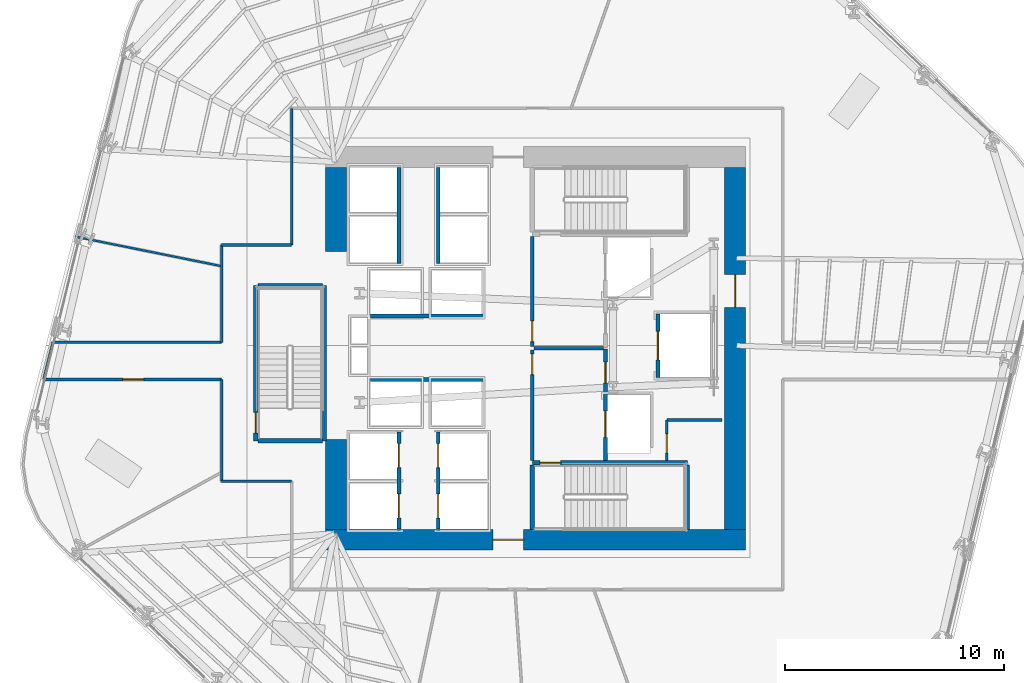
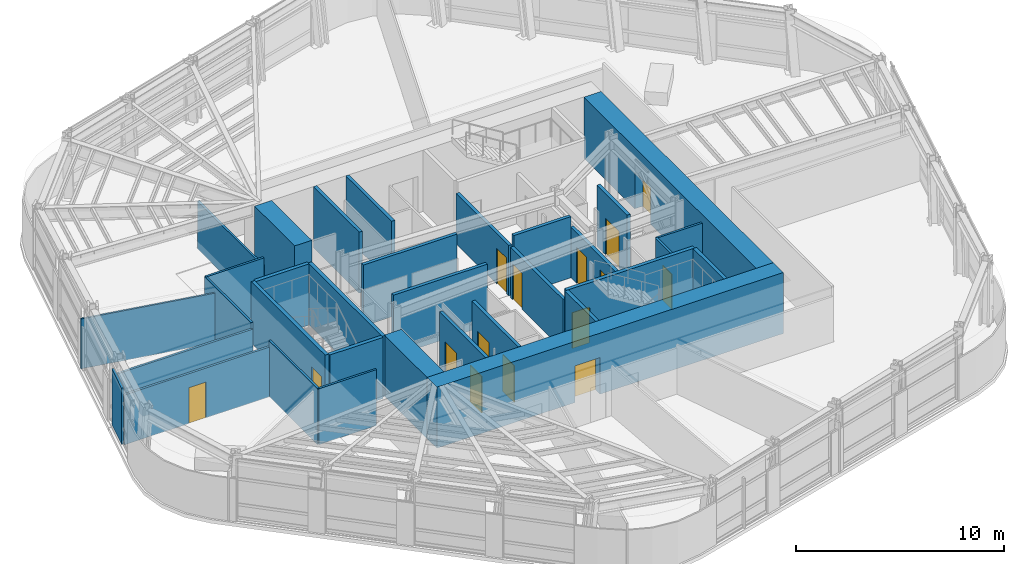
# One storey, part 8 of 15: 33 walls, 15 doors, 15 openings.
"""IFC4 building model written with IfcOpenShell, lengths in metres."""

from ifc_helpers import new_model, si_unit, direction, frame, frame_2d, origin, place, context, subcontext, project, spatial, rectangle, extrude, material, layer, layer_set, type_object, element, fill, save


model = new_model("IFC4")

# Units and contexts
model_context = context("Model", 3, precision=1e-05, world=origin(), true_north=direction((0.0, 1.0)))
body_context = subcontext(model_context, "Body", "Model", "MODEL_VIEW")
ifc_project = project(units=[si_unit("LENGTHUNIT", "METRE"), si_unit("AREAUNIT", "SQUARE_METRE"), si_unit("VOLUMEUNIT", "CUBIC_METRE"), si_unit("PLANEANGLEUNIT", "RADIAN"), si_unit("MASSUNIT", "GRAM", prefix="KILO")], contexts=[model_context])

# Site, building, storey
site_placement = place(None, origin())
site = spatial("IfcSite", under=ifc_project, at=site_placement, CompositionType="ELEMENT")
building_placement = place(site_placement, origin())
building = spatial("IfcBuilding", under=site, at=building_placement, Name="Valkerne Bourse Tower", CompositionType="ELEMENT")
storey_placement = place(building_placement, frame((0.0, 0.0, 93.39990234375)))
storey = spatial("IfcBuildingStorey", under=building, at=storey_placement, Name="L23", CompositionType="ELEMENT", Elevation=93.39990234375)

# Wall, opening, door
ifc_material_1 = material(Name="Concrete C70/85", Category="concrete")
ifc_layer_1 = layer(ifc_material_1, 0.949951171875)
ifc_layer_set_1 = layer_set([ifc_layer_1], Name="Concrete C70/85")
wall_type_1 = type_object("IfcWallType", Name="W-CORE-950", PredefinedType="SHEAR", material=ifc_layer_set_1)
wall_1_placement = place(storey_placement, frame((37.199951171875, 18.125, 0.0), z_axis=(0.0, 0.0, 1.0), x_axis=(1.0, 0.0, 0.0)))
wall_1 = element("IfcWall", 1, at=wall_1_placement, inside=storey, type_object=wall_type_1, Name="L23 Core Shear Wall SOUTH", PredefinedType="SHEAR", context=body_context, shape_type="SweptSolid", body=[
    extrude(rectangle(XDim=19.199951171875, YDim=0.949951171875, at=frame_2d((9.60009765625, 0.0))), origin(), (0.0, 0.0, 1.0), 3.580078125),
])
opening_1_placement = place(wall_1_placement, frame((7.64990234375, 0.0, 0.0)))
opening_1 = element("IfcOpeningElement", 2, at=opening_1_placement, cuts=wall_1, Name="Opening D-PL-1400", PredefinedType="OPENING", context=body_context, shape_type="SweptSolid", body=[
    extrude(rectangle(XDim=1.39990234375, YDim=2.14990234375, at=frame_2d((0.699951171875, 1.074951171875))), frame((0.0, 0.48486328125, 0.0), z_axis=(0.0, -1.0, 0.0), x_axis=(1.0, 0.0, 0.0)), (0.0, 0.0, 1.0), 0.969970703125),
])
ifc_material_2 = material(Name="Galvanised Painted Steel", Category="steel")
door_type_1 = type_object("IfcDoorType", Name="DR-PLT-1400", OperationType="DOUBLE_DOOR_SINGLE_SWING", PredefinedType="DOOR", material=ifc_material_2)
door_1_placement = place(opening_1_placement, origin())
door_1 = element("IfcDoor", 3, at=door_1_placement, inside=storey, type_object=door_type_1, Name="L23 South Passenger Lift Hall Fire Door", OperationType="DOUBLE_DOOR_SINGLE_SWING", OverallHeight=2.14990234375, OverallWidth=1.39990234375, PredefinedType="DOOR", context=body_context, shape_type="SweptSolid", body=[
    extrude(rectangle(XDim=1.39990234375, YDim=2.14990234375, at=frame_2d((0.699951171875, 1.074951171875))), frame((0.0, 0.02490234375, 0.0), z_axis=(0.0, -1.0, 0.0), x_axis=(1.0, 0.0, 0.0)), (0.0, 0.0, 1.0), 0.050048828125),
])
fill(opening_1, door_1)

wall_2_placement = place(storey_placement, frame((55.925048828125, 18.60009765625, 0.0), z_axis=(0.0, 0.0, 1.0), x_axis=(0.0, 1.0, 0.0)))
wall_2 = element("IfcWall", 4, at=wall_2_placement, inside=storey, type_object=wall_type_1, Name="L23 Core Shear Wall EAST", PredefinedType="SHEAR", context=body_context, shape_type="SweptSolid", body=[
    extrude(rectangle(XDim=16.5498046875, YDim=0.949951171875, at=frame_2d((8.27490234375, 0.0))), origin(), (0.0, 0.0, 1.0), 3.580078125),
])
opening_2_placement = place(wall_2_placement, frame((10.14990234375, 0.0, 0.0)))
opening_2 = element("IfcOpeningElement", 5, at=opening_2_placement, cuts=wall_2, Name="Opening D-CR-1500", PredefinedType="OPENING", context=body_context, shape_type="SweptSolid", body=[
    extrude(rectangle(XDim=1.5, YDim=2.14990234375, at=frame_2d((0.75, 1.074951171875))), frame((0.0, 0.48486328125, 0.0), z_axis=(0.0, -1.0, 0.0), x_axis=(1.0, 0.0, 0.0)), (0.0, 0.0, 1.0), 0.969970703125),
])
door_type_2 = type_object("IfcDoorType", Name="DR-CORR-1500", OperationType="DOUBLE_DOOR_SINGLE_SWING", PredefinedType="DOOR", material=ifc_material_2)
door_2_placement = place(opening_2_placement, origin())
door_2 = element("IfcDoor", 6, at=door_2_placement, inside=storey, type_object=door_type_2, Name="L23 East Core Service Lobby Fire Door", OperationType="DOUBLE_DOOR_SINGLE_SWING", OverallHeight=2.14990234375, OverallWidth=1.5, PredefinedType="DOOR", context=body_context, shape_type="SweptSolid", body=[
    extrude(rectangle(XDim=1.5, YDim=2.14990234375, at=frame_2d((0.75, 1.074951171875))), frame((0.0, 0.02490234375, 0.0), z_axis=(0.0, -1.0, 0.0), x_axis=(1.0, 0.0, 0.0)), (0.0, 0.0, 1.0), 0.050048828125),
])
fill(opening_2, door_2)

# Walls
wall_3_placement = place(storey_placement, frame((37.675048828125, 18.60009765625, 0.0), z_axis=(0.0, 0.0, 1.0), x_axis=(0.0, 1.0, 0.0)))
element("IfcWall", 7, at=wall_3_placement, inside=storey, type_object=wall_type_1, Name="L23 Core Shear Wall WEST-S", PredefinedType="SHEAR", context=body_context, shape_type="SweptSolid", body=[
    extrude(rectangle(XDim=4.099853515625, YDim=0.949951171875, at=frame_2d((2.0498046875, 0.0))), origin(), (0.0, 0.0, 1.0), 3.580078125),
])
wall_4_placement = place(storey_placement, frame((37.675048828125, 31.300048828125, 0.0), z_axis=(0.0, 0.0, 1.0), x_axis=(0.0, 1.0, 0.0)))
element("IfcWall", 8, at=wall_4_placement, inside=storey, type_object=wall_type_1, Name="L23 Core Shear Wall WEST-N", PredefinedType="SHEAR", context=body_context, shape_type="SweptSolid", body=[
    extrude(rectangle(XDim=3.849853515625, YDim=0.949951171875, at=frame_2d((1.9248046875, 0.0))), origin(), (0.0, 0.0, 1.0), 3.580078125),
])

# Wall, opening, door
ifc_material_3 = material(Name="Gypsum Board Steel-Stud Partition", Category="steel")
ifc_layer_2 = layer(ifc_material_3, 0.117919921875)
ifc_layer_set_2 = layer_set([ifc_layer_2], Name="Gypsum Board Steel-Stud Partition")
wall_type_2 = type_object("IfcWallType", Name="W-CORR-140", PredefinedType="PARTITIONING", material=ifc_layer_set_2)
wall_5_placement = place(storey_placement, frame((52.800048828125, 21.75, 0.0), z_axis=(0.0, 0.0, 1.0), x_axis=(0.0, 1.0, 0.0)))
wall_5 = element("IfcWall", 9, at=wall_5_placement, inside=storey, type_object=wall_type_2, Name="L23 Core SE South-Bay West Wall", PredefinedType="PARTITIONING", context=body_context, shape_type="SweptSolid", body=[
    extrude(rectangle(XDim=1.85009765625, YDim=0.117919921875, at=frame_2d((0.925048828125, 0.0))), origin(), (0.0, 0.0, 1.0), 3.280029296875),
])
opening_3_placement = place(wall_5_placement, frame((0.35009765625, 0.0, 0.0)))
opening_3 = element("IfcOpeningElement", 10, at=opening_3_placement, cuts=wall_5, Name="Opening D-WC-900", PredefinedType="OPENING", context=body_context, shape_type="SweptSolid", body=[
    extrude(rectangle(XDim=0.860107421875, YDim=2.050048828125, at=frame_2d((0.43017578125, 1.02490234375))), frame((0.0, 0.06884765625, 0.0), z_axis=(0.0, -1.0, 0.0), x_axis=(1.0, 0.0, 0.0)), (0.0, 0.0, 1.0), 0.137939453125),
])
ifc_material_4 = material(Name="Architectural White Oak Timber", Category="wood")
door_type_3 = type_object("IfcDoorType", Name="DR-WC-900", OperationType="NOTDEFINED", PredefinedType="DOOR", material=ifc_material_4)
door_3_placement = place(opening_3_placement, origin())
door_3 = element("IfcDoor", 11, at=door_3_placement, inside=storey, type_object=door_type_3, Name="L23 Janitor Store Door", OperationType="SINGLE_SWING_LEFT", OverallHeight=2.050048828125, OverallWidth=0.860107421875, PredefinedType="DOOR", context=body_context, shape_type="SweptSolid", body=[
    extrude(rectangle(XDim=0.860107421875, YDim=2.050048828125, at=frame_2d((0.43017578125, 1.02490234375))), frame((0.0, 0.02490234375, 0.0), z_axis=(0.0, -1.0, 0.0), x_axis=(1.0, 0.0, 0.0)), (0.0, 0.0, 1.0), 0.050048828125),
])
fill(opening_3, door_3)

# Walls
wall_6_placement = place(storey_placement, frame((52.800048828125, 23.60009765625, 0.0), z_axis=(0.0, 0.0, 1.0), x_axis=(1.0, 0.0, 0.0)))
element("IfcWall", 12, at=wall_6_placement, inside=storey, type_object=wall_type_2, Name="L23 Core SE South-Bay North Wall", PredefinedType="PARTITIONING", context=body_context, shape_type="SweptSolid", body=[
    extrude(rectangle(XDim=2.52001953125, YDim=0.117919921875, at=frame_2d((1.260009765625, 0.0))), origin(), (0.0, 0.0, 1.0), 3.280029296875),
])
wall_7_placement = place(storey_placement, frame((35.64990234375, 20.800048828125, 0.0), z_axis=(0.0, 0.0, 1.0), x_axis=(-1.0, 0.0, 0.0)))
element("IfcWall", 13, at=wall_7_placement, inside=storey, type_object=wall_type_2, Name="L23 Corridor Enclosure Wall", PredefinedType="PARTITIONING", context=body_context, shape_type="SweptSolid", body=[
    extrude(rectangle(XDim=3.199951171875, YDim=0.117919921875, at=frame_2d((1.60009765625, 0.0))), origin(), (0.0, 0.0, 1.0), 3.280029296875),
])
wall_8_placement = place(storey_placement, frame((32.449951171875, 20.800048828125, 0.0), z_axis=(0.0, 0.0, 1.0), x_axis=(0.0, 1.0, 0.0)))
element("IfcWall", 14, at=wall_8_placement, inside=storey, type_object=wall_type_2, Name="L23 Corridor Enclosure Wall", PredefinedType="PARTITIONING", context=body_context, shape_type="SweptSolid", body=[
    extrude(rectangle(XDim=4.64990234375, YDim=0.117919921875, at=frame_2d((2.324951171875, 0.0))), origin(), (0.0, 0.0, 1.0), 3.280029296875),
])

# Wall, opening, door
wall_9_placement = place(storey_placement, frame((32.449951171875, 25.449951171875, 0.0), z_axis=(0.0, 0.0, 1.0), x_axis=(-1.0, 0.0, 0.0)))
wall_9 = element("IfcWall", 15, at=wall_9_placement, inside=storey, type_object=wall_type_2, Name="L23 Corridor Enclosure Wall", PredefinedType="PARTITIONING", context=body_context, shape_type="SweptSolid", body=[
    extrude(rectangle(XDim=8.0986328125, YDim=0.117919921875, at=frame_2d((4.04931640625, 0.0))), origin(), (0.0, 0.0, 1.0), 2.922607421875),
])
opening_4_placement = place(wall_9_placement, frame((3.574462890625, 0.0, 0.0)))
opening_4 = element("IfcOpeningElement", 16, at=opening_4_placement, cuts=wall_9, Name="Opening D-OF-950", PredefinedType="OPENING", context=body_context, shape_type="SweptSolid", body=[
    extrude(rectangle(XDim=0.949951171875, YDim=2.10009765625, at=frame_2d((0.47509765625, 1.050048828125))), frame((0.0, 0.06884765625, 0.0), z_axis=(0.0, -1.0, 0.0), x_axis=(1.0, 0.0, 0.0)), (0.0, 0.0, 1.0), 0.137939453125),
])
door_type_4 = type_object("IfcDoorType", Name="DR-OFF-950", OperationType="NOTDEFINED", PredefinedType="DOOR", material=ifc_material_4)
door_4_placement = place(opening_4_placement, origin())
door_4 = element("IfcDoor", 17, at=door_4_placement, inside=storey, type_object=door_type_4, Name="L23 L23 Exchange Security Control Room 3 Door", OperationType="SINGLE_SWING_LEFT", OverallHeight=2.10009765625, OverallWidth=0.949951171875, PredefinedType="DOOR", context=body_context, shape_type="SweptSolid", body=[
    extrude(rectangle(XDim=0.949951171875, YDim=2.10009765625, at=frame_2d((0.47509765625, 1.050048828125))), frame((0.0, 0.02490234375, 0.0), z_axis=(0.0, -1.0, 0.0), x_axis=(1.0, 0.0, 0.0)), (0.0, 0.0, 1.0), 0.050048828125),
])
fill(opening_4, door_4)

# Walls
wall_10_placement = place(storey_placement, frame((24.317138671875, 25.49365234375, 0.0), z_axis=(0.0, 0.0, 1.0), x_axis=(0.244821668562, 0.969568125818, 0.0)))
element("IfcWall", 18, at=wall_10_placement, inside=storey, type_object=wall_type_2, Name="L23 Corridor Enclosure Wall", PredefinedType="PARTITIONING", context=body_context, shape_type="SweptSolid", body=[
    extrude(rectangle(XDim=1.708251953125, YDim=0.117919921875, at=frame_2d((0.85400390625, 0.0))), origin(), (0.0, 0.0, 1.0), 3.280029296875),
])
wall_11_placement = place(storey_placement, frame((24.7353515625, 27.14990234375, 0.0), z_axis=(0.0, 0.0, 1.0), x_axis=(1.0, 0.0, 0.0)))
element("IfcWall", 19, at=wall_11_placement, inside=storey, type_object=wall_type_2, Name="L23 Corridor Enclosure Wall", PredefinedType="PARTITIONING", context=body_context, shape_type="SweptSolid", body=[
    extrude(rectangle(XDim=7.714599609375, YDim=0.117919921875, at=frame_2d((3.857421875, 0.0))), origin(), (0.0, 0.0, 1.0), 2.922607421875),
])
wall_12_placement = place(storey_placement, frame((32.449951171875, 27.14990234375, 0.0), z_axis=(0.0, 0.0, 1.0), x_axis=(0.0, 1.0, 0.0)))
element("IfcWall", 20, at=wall_12_placement, inside=storey, type_object=wall_type_2, Name="L23 Corridor Enclosure Wall", PredefinedType="PARTITIONING", context=body_context, shape_type="SweptSolid", body=[
    extrude(rectangle(XDim=4.4501953125, YDim=0.117919921875, at=frame_2d((2.22509765625, 0.0))), origin(), (0.0, 0.0, 1.0), 3.280029296875),
])
wall_13_placement = place(storey_placement, frame((32.449951171875, 31.60009765625, 0.0), z_axis=(0.0, 0.0, 1.0), x_axis=(1.0, 0.0, 0.0)))
element("IfcWall", 21, at=wall_13_placement, inside=storey, type_object=wall_type_2, Name="L23 Corridor Enclosure Wall", PredefinedType="PARTITIONING", context=body_context, shape_type="SweptSolid", body=[
    extrude(rectangle(XDim=3.199951171875, YDim=0.117919921875, at=frame_2d((1.60009765625, 0.0))), origin(), (0.0, 0.0, 1.0), 3.280029296875),
])
wall_14_placement = place(storey_placement, frame((35.64990234375, 31.60009765625, 0.0), z_axis=(0.0, 0.0, 1.0), x_axis=(0.0, 1.0, 0.0)))
element("IfcWall", 22, at=wall_14_placement, inside=storey, type_object=wall_type_2, Name="L23 Corridor Enclosure Wall", PredefinedType="PARTITIONING", context=body_context, shape_type="SweptSolid", body=[
    extrude(rectangle(XDim=6.25, YDim=0.117919921875, at=frame_2d((3.125, 0.0))), origin(), (0.0, 0.0, 1.0), 2.800537109375),
])
ifc_material_5 = material(Name="Gypsum Fire-Rated Shaftwall", Category="gypsum")
ifc_layer_3 = layer(ifc_material_5, 0.179931640625)
ifc_layer_set_3 = layer_set([ifc_layer_3], Name="Gypsum Fire-Rated Shaftwall")
wall_type_3 = type_object("IfcWallType", Name="W-FSAE-180", PredefinedType="PARTITIONING", material=ifc_layer_set_3)
wall_15_placement = place(storey_placement, frame((46.739990234375, 26.8798828125, 0.0), z_axis=(0.0, 0.0, 1.0), x_axis=(1.0, 0.0, 0.0)))
element("IfcWall", 23, at=wall_15_placement, inside=storey, type_object=wall_type_3, Name="L23 FSAE-1/2 Lobby Dividing Fire Wall", PredefinedType="PARTITIONING", context=body_context, shape_type="SweptSolid", body=[
    extrude(rectangle(XDim=3.169921875, YDim=0.179931640625, at=frame_2d((1.5849609375, 0.0))), origin(), (0.0, 0.0, 1.0), 3.580078125),
])

# Wall, opening, door
wall_16_placement = place(storey_placement, frame((46.64990234375, 21.75, 0.0), z_axis=(0.0, 0.0, 1.0), x_axis=(0.0, 1.0, 0.0)))
wall_16 = element("IfcWall", 24, at=wall_16_placement, inside=storey, type_object=wall_type_3, Name="L23 FSAE-1 Lobby West Fire Wall", PredefinedType="PARTITIONING", context=body_context, shape_type="SweptSolid", body=[
    extrude(rectangle(XDim=5.050048828125, YDim=0.179931640625, at=frame_2d((2.52490234375, 0.0))), origin(), (0.0, 0.0, 1.0), 2.9580078125),
])
opening_5_placement = place(wall_16_placement, frame((3.919921875, 0.0, 0.0)))
opening_5 = element("IfcOpeningElement", 25, at=opening_5_placement, cuts=wall_16, Name="Opening D-FS-950", PredefinedType="OPENING", context=body_context, shape_type="SweptSolid", body=[
    extrude(rectangle(XDim=0.949951171875, YDim=2.10009765625, at=frame_2d((0.47509765625, 1.050048828125))), frame((0.0, 0.099853515625, 0.0), z_axis=(0.0, -1.0, 0.0), x_axis=(1.0, 0.0, 0.0)), (0.0, 0.0, 1.0), 0.199951171875),
])
door_type_5 = type_object("IfcDoorType", Name="DR-FSAE-950", OperationType="NOTDEFINED", PredefinedType="DOOR", material=ifc_material_2)
door_5_placement = place(opening_5_placement, origin())
door_5 = element("IfcDoor", 26, at=door_5_placement, inside=storey, type_object=door_type_5, Name="L23 FSAE-1 Hall Link Fire Door", OperationType="SINGLE_SWING_RIGHT", OverallHeight=2.10009765625, OverallWidth=0.949951171875, PredefinedType="DOOR", context=body_context, shape_type="SweptSolid", body=[
    extrude(rectangle(XDim=0.949951171875, YDim=2.10009765625, at=frame_2d((0.47509765625, 1.050048828125))), frame((0.0, 0.02490234375, 0.0), z_axis=(0.0, -1.0, 0.0), x_axis=(1.0, 0.0, 0.0)), (0.0, 0.0, 1.0), 0.050048828125),
])
fill(opening_5, door_5)

wall_17_placement = place(storey_placement, frame((46.64990234375, 26.9599609375, 0.0), z_axis=(0.0, 0.0, 1.0), x_axis=(0.0, 1.0, 0.0)))
wall_17 = element("IfcWall", 27, at=wall_17_placement, inside=storey, type_object=wall_type_3, Name="L23 FSAE-2 Lobby West Fire Wall", PredefinedType="PARTITIONING", context=body_context, shape_type="SweptSolid", body=[
    extrude(rectangle(XDim=5.0400390625, YDim=0.179931640625, at=frame_2d((2.52001953125, 0.0))), origin(), (0.0, 0.0, 1.0), 2.9580078125),
])
opening_6_placement = place(wall_17_placement, frame((0.219970703125, 0.0, 0.0)))
opening_6 = element("IfcOpeningElement", 28, at=opening_6_placement, cuts=wall_17, Name="Opening D-FS-950", PredefinedType="OPENING", context=body_context, shape_type="SweptSolid", body=[
    extrude(rectangle(XDim=0.949951171875, YDim=2.10009765625, at=frame_2d((0.47509765625, 1.050048828125))), frame((0.0, 0.099853515625, 0.0), z_axis=(0.0, -1.0, 0.0), x_axis=(1.0, 0.0, 0.0)), (0.0, 0.0, 1.0), 0.199951171875),
])
door_6_placement = place(opening_6_placement, origin())
door_6 = element("IfcDoor", 29, at=door_6_placement, inside=storey, type_object=door_type_5, Name="L23 FSAE-2 Hall Link Fire Door", OperationType="SINGLE_SWING_LEFT", OverallHeight=2.10009765625, OverallWidth=0.949951171875, PredefinedType="DOOR", context=body_context, shape_type="SweptSolid", body=[
    extrude(rectangle(XDim=0.949951171875, YDim=2.10009765625, at=frame_2d((0.47509765625, 1.050048828125))), frame((0.0, 0.02490234375, 0.0), z_axis=(0.0, -1.0, 0.0), x_axis=(1.0, 0.0, 0.0)), (0.0, 0.0, 1.0), 0.050048828125),
])
fill(opening_6, door_6)

# Wall, openings, doors
wall_18_placement = place(storey_placement, frame((50.0, 21.75, 0.0), z_axis=(0.0, 0.0, 1.0), x_axis=(0.0, 1.0, 0.0)))
wall_18 = element("IfcWall", 30, at=wall_18_placement, inside=storey, type_object=wall_type_3, Name="L23 FSAE-1 Lobby & Shaft Front Wall", PredefinedType="PARTITIONING", context=body_context, shape_type="SweptSolid", body=[
    extrude(rectangle(XDim=5.090087890625, YDim=0.179931640625, at=frame_2d((2.544921875, 0.0))), origin(), (0.0, 0.0, 1.0), 2.9580078125),
])
opening_7_placement = place(wall_18_placement, frame((1.050048828125, 0.0, 0.0)))
opening_7 = element("IfcOpeningElement", 31, at=opening_7_placement, cuts=wall_18, Name="Opening LD-1200", PredefinedType="OPENING", context=body_context, shape_type="SweptSolid", body=[
    extrude(rectangle(XDim=1.199951171875, YDim=2.14990234375, at=frame_2d((0.60009765625, 1.074951171875))), frame((0.0, 0.099853515625, 0.0), z_axis=(0.0, -1.0, 0.0), x_axis=(1.0, 0.0, 0.0)), (0.0, 0.0, 1.0), 0.199951171875),
])
opening_8_placement = place(wall_18_placement, frame((3.550048828125, 0.0, 0.0)))
opening_8 = element("IfcOpeningElement", 32, at=opening_8_placement, cuts=wall_18, Name="Opening D-FS-950", PredefinedType="OPENING", context=body_context, shape_type="SweptSolid", body=[
    extrude(rectangle(XDim=0.949951171875, YDim=2.10009765625, at=frame_2d((0.47509765625, 1.050048828125))), frame((0.0, 0.099853515625, 0.0), z_axis=(0.0, -1.0, 0.0), x_axis=(1.0, 0.0, 0.0)), (0.0, 0.0, 1.0), 0.199951171875),
])
door_7_placement = place(opening_8_placement, origin())
door_7 = element("IfcDoor", 33, at=door_7_placement, inside=storey, type_object=door_type_5, Name="L23 FSAE-1 Lobby Corridor Fire Door", OperationType="SINGLE_SWING_LEFT", OverallHeight=2.10009765625, OverallWidth=0.949951171875, PredefinedType="DOOR", context=body_context, shape_type="SweptSolid", body=[
    extrude(rectangle(XDim=0.949951171875, YDim=2.10009765625, at=frame_2d((0.47509765625, 1.050048828125))), frame((0.0, 0.02490234375, 0.0), z_axis=(0.0, -1.0, 0.0), x_axis=(1.0, 0.0, 0.0)), (0.0, 0.0, 1.0), 0.050048828125),
])
fill(opening_8, door_7)
ifc_material_6 = material(Name="Stainless Steel AISI 316", Category="steel")
door_type_6 = type_object("IfcDoorType", Name="DR-LIFT-1200", OperationType="DOUBLE_DOOR_SLIDING", PredefinedType="DOOR", material=ifc_material_6)
door_8_placement = place(opening_7_placement, origin())
door_8 = element("IfcDoor", 34, at=door_8_placement, inside=storey, type_object=door_type_6, Name="L23 FSAE-1 Firefighting Lift Landing Door", OperationType="DOUBLE_DOOR_SLIDING", OverallHeight=2.14990234375, OverallWidth=1.199951171875, PredefinedType="DOOR", context=body_context, shape_type="SweptSolid", body=[
    extrude(rectangle(XDim=1.199951171875, YDim=2.14990234375, at=frame_2d((0.60009765625, 1.074951171875))), frame((0.0, 0.02490234375, 0.0), z_axis=(0.0, -1.0, 0.0), x_axis=(1.0, 0.0, 0.0)), (0.0, 0.0, 1.0), 0.050048828125),
])
fill(opening_7, door_8)

# Wall, opening, door
ifc_material_7 = material(Name="CMU Blockwork Masonry 200mm", Category="masonry")
ifc_layer_4 = layer(ifc_material_7, 0.179931640625)
ifc_layer_set_4 = layer_set([ifc_layer_4], Name="CMU Blockwork Masonry 200mm")
wall_type_4 = type_object("IfcWallType", Name="W-LFT-180", PredefinedType="SOLIDWALL", material=ifc_layer_set_4)
wall_19_placement = place(storey_placement, frame((52.39990234375, 25.550048828125, 0.0), z_axis=(0.0, 0.0, 1.0), x_axis=(0.0, 1.0, 0.0)))
wall_19 = element("IfcWall", 35, at=wall_19_placement, inside=storey, type_object=wall_type_4, Name="L23 Service Lift SV-1 Front Wall", PredefinedType="SOLIDWALL", context=body_context, shape_type="SweptSolid", body=[
    extrude(rectangle(XDim=2.89990234375, YDim=0.179931640625, at=frame_2d((1.449951171875, 0.0))), origin(), (0.0, 0.0, 1.0), 3.580078125),
])
opening_9_placement = place(wall_19_placement, frame((0.800048828125, 0.0, 0.0)))
opening_9 = element("IfcOpeningElement", 36, at=opening_9_placement, cuts=wall_19, Name="Opening LD-1300", PredefinedType="OPENING", context=body_context, shape_type="SweptSolid", body=[
    extrude(rectangle(XDim=1.300048828125, YDim=2.14990234375, at=frame_2d((0.64990234375, 1.074951171875))), frame((0.0, 0.099853515625, 0.0), z_axis=(0.0, -1.0, 0.0), x_axis=(1.0, 0.0, 0.0)), (0.0, 0.0, 1.0), 0.199951171875),
])
door_type_7 = type_object("IfcDoorType", Name="DR-LIFT-1300", OperationType="DOUBLE_DOOR_SLIDING", PredefinedType="DOOR", material=ifc_material_6)
door_9_placement = place(opening_9_placement, origin())
door_9 = element("IfcDoor", 37, at=door_9_placement, inside=storey, type_object=door_type_7, Name="L23 Service Lift SV-1 Landing Door", OperationType="DOUBLE_DOOR_SLIDING", OverallHeight=2.14990234375, OverallWidth=1.300048828125, PredefinedType="DOOR", context=body_context, shape_type="SweptSolid", body=[
    extrude(rectangle(XDim=1.300048828125, YDim=2.14990234375, at=frame_2d((0.64990234375, 1.074951171875))), frame((0.0, 0.02490234375, 0.0), z_axis=(0.0, -1.0, 0.0), x_axis=(1.0, 0.0, 0.0)), (0.0, 0.0, 1.0), 0.050048828125),
])
fill(opening_9, door_9)

# Wall, openings, doors
wall_20_placement = place(storey_placement, frame((40.550048828125, 18.6201171875, 0.0), z_axis=(0.0, 0.0, 1.0), x_axis=(0.0, 1.0, 0.0)))
wall_20 = element("IfcWall", 38, at=wall_20_placement, inside=storey, type_object=wall_type_4, Name="L23 Low-Zone West Cars Front Wall", PredefinedType="SOLIDWALL", context=body_context, shape_type="SweptSolid", body=[
    extrude(rectangle(XDim=4.429931640625, YDim=0.179931640625, at=frame_2d((2.21484375, 0.0))), origin(), (0.0, 0.0, 1.0), 3.580078125),
])
opening_10_placement = place(wall_20_placement, frame((0.5, 0.0, 0.0)))
opening_10 = element("IfcOpeningElement", 39, at=opening_10_placement, cuts=wall_20, Name="Opening LD-1100", PredefinedType="OPENING", context=body_context, shape_type="SweptSolid", body=[
    extrude(rectangle(XDim=1.10009765625, YDim=2.14990234375, at=frame_2d((0.550048828125, 1.074951171875))), frame((0.0, 0.099853515625, 0.0), z_axis=(0.0, -1.0, 0.0), x_axis=(1.0, 0.0, 0.0)), (0.0, 0.0, 1.0), 0.199951171875),
])
opening_11_placement = place(wall_20_placement, frame((2.800048828125, 0.0, 0.0)))
opening_11 = element("IfcOpeningElement", 40, at=opening_11_placement, cuts=wall_20, Name="Opening LD-1100", PredefinedType="OPENING", context=body_context, shape_type="SweptSolid", body=[
    extrude(rectangle(XDim=1.10009765625, YDim=2.14990234375, at=frame_2d((0.550048828125, 1.074951171875))), frame((0.0, 0.099853515625, 0.0), z_axis=(0.0, -1.0, 0.0), x_axis=(1.0, 0.0, 0.0)), (0.0, 0.0, 1.0), 0.199951171875),
])
door_type_8 = type_object("IfcDoorType", Name="DR-LIFT-1100", OperationType="DOUBLE_DOOR_SLIDING", PredefinedType="DOOR", material=ifc_material_6)
door_10_placement = place(opening_10_placement, origin())
door_10 = element("IfcDoor", 41, at=door_10_placement, inside=storey, type_object=door_type_8, Name="L23 Passenger Lift PL-L1 Sliding Landing Door", OperationType="DOUBLE_DOOR_SLIDING", OverallHeight=2.14990234375, OverallWidth=1.10009765625, PredefinedType="DOOR", context=body_context, shape_type="SweptSolid", body=[
    extrude(rectangle(XDim=1.10009765625, YDim=2.14990234375, at=frame_2d((0.550048828125, 1.074951171875))), frame((0.0, 0.02490234375, 0.0), z_axis=(0.0, -1.0, 0.0), x_axis=(1.0, 0.0, 0.0)), (0.0, 0.0, 1.0), 0.050048828125),
])
fill(opening_10, door_10)
door_11_placement = place(opening_11_placement, origin())
door_11 = element("IfcDoor", 42, at=door_11_placement, inside=storey, type_object=door_type_8, Name="L23 Passenger Lift PL-L2 Sliding Landing Door", OperationType="DOUBLE_DOOR_SLIDING", OverallHeight=2.14990234375, OverallWidth=1.10009765625, PredefinedType="DOOR", context=body_context, shape_type="SweptSolid", body=[
    extrude(rectangle(XDim=1.10009765625, YDim=2.14990234375, at=frame_2d((0.550048828125, 1.074951171875))), frame((0.0, 0.02490234375, 0.0), z_axis=(0.0, -1.0, 0.0), x_axis=(1.0, 0.0, 0.0)), (0.0, 0.0, 1.0), 0.050048828125),
])
fill(opening_11, door_11)

wall_21_placement = place(storey_placement, frame((42.35009765625, 18.6201171875, 0.0), z_axis=(0.0, 0.0, 1.0), x_axis=(0.0, 1.0, 0.0)))
wall_21 = element("IfcWall", 43, at=wall_21_placement, inside=storey, type_object=wall_type_4, Name="L23 Low-Zone East Cars Front Wall", PredefinedType="SOLIDWALL", context=body_context, shape_type="SweptSolid", body=[
    extrude(rectangle(XDim=4.429931640625, YDim=0.179931640625, at=frame_2d((2.21484375, 0.0))), origin(), (0.0, 0.0, 1.0), 3.580078125),
])
opening_12_placement = place(wall_21_placement, frame((0.5, 0.0, 0.0)))
opening_12 = element("IfcOpeningElement", 44, at=opening_12_placement, cuts=wall_21, Name="Opening LD-1100", PredefinedType="OPENING", context=body_context, shape_type="SweptSolid", body=[
    extrude(rectangle(XDim=1.10009765625, YDim=2.14990234375, at=frame_2d((0.550048828125, 1.074951171875))), frame((0.0, 0.099853515625, 0.0), z_axis=(0.0, -1.0, 0.0), x_axis=(1.0, 0.0, 0.0)), (0.0, 0.0, 1.0), 0.199951171875),
])
opening_13_placement = place(wall_21_placement, frame((2.800048828125, 0.0, 0.0)))
opening_13 = element("IfcOpeningElement", 45, at=opening_13_placement, cuts=wall_21, Name="Opening LD-1100", PredefinedType="OPENING", context=body_context, shape_type="SweptSolid", body=[
    extrude(rectangle(XDim=1.10009765625, YDim=2.14990234375, at=frame_2d((0.550048828125, 1.074951171875))), frame((0.0, 0.099853515625, 0.0), z_axis=(0.0, -1.0, 0.0), x_axis=(1.0, 0.0, 0.0)), (0.0, 0.0, 1.0), 0.199951171875),
])
door_12_placement = place(opening_12_placement, origin())
door_12 = element("IfcDoor", 46, at=door_12_placement, inside=storey, type_object=door_type_8, Name="L23 Passenger Lift PL-L3 Sliding Landing Door", OperationType="DOUBLE_DOOR_SLIDING", OverallHeight=2.14990234375, OverallWidth=1.10009765625, PredefinedType="DOOR", context=body_context, shape_type="SweptSolid", body=[
    extrude(rectangle(XDim=1.10009765625, YDim=2.14990234375, at=frame_2d((0.550048828125, 1.074951171875))), frame((0.0, 0.02490234375, 0.0), z_axis=(0.0, -1.0, 0.0), x_axis=(1.0, 0.0, 0.0)), (0.0, 0.0, 1.0), 0.050048828125),
])
fill(opening_12, door_12)
door_13_placement = place(opening_13_placement, origin())
door_13 = element("IfcDoor", 47, at=door_13_placement, inside=storey, type_object=door_type_8, Name="L23 Passenger Lift PL-L4 Sliding Landing Door", OperationType="DOUBLE_DOOR_SLIDING", OverallHeight=2.14990234375, OverallWidth=1.10009765625, PredefinedType="DOOR", context=body_context, shape_type="SweptSolid", body=[
    extrude(rectangle(XDim=1.10009765625, YDim=2.14990234375, at=frame_2d((0.550048828125, 1.074951171875))), frame((0.0, 0.02490234375, 0.0), z_axis=(0.0, -1.0, 0.0), x_axis=(1.0, 0.0, 0.0)), (0.0, 0.0, 1.0), 0.050048828125),
])
fill(opening_13, door_13)

# Walls
for number, where, z_axis, x_axis, name in (
    (48, (40.550048828125, 30.75, 0.0), (0.0, 0.0, 1.0), (0.0, 1.0, 0.0), "L23 Mid-Zone West Cars Front Wall"),
    (49, (42.35009765625, 30.75, 0.0), (0.0, 0.0, 1.0), (0.0, 1.0, 0.0), "L23 Mid-Zone East Cars Front Wall"),
):
    element("IfcWall", number, at=place(storey_placement, frame(where, z_axis=z_axis, x_axis=x_axis)), inside=storey, type_object=wall_type_4, Name=name, PredefinedType="SOLIDWALL", context=body_context, shape_type="SweptSolid", body=[
        extrude(rectangle(XDim=4.39990234375, YDim=0.179931640625, at=frame_2d((2.199951171875, 0.0))), origin(), (0.0, 0.0, 1.0), 3.580078125),
    ])
for number, where, z_axis, x_axis, name in (
    (50, (39.25, 25.449951171875, 0.0), (0.0, 0.0, 1.0), (1.0, 0.0, 0.0), "L23 High-Zone South Cars Front Wall"),
    (51, (39.25, 28.35009765625, 0.0), (0.0, 0.0, 1.0), (1.0, 0.0, 0.0), "L23 High-Zone North Cars Front Wall"),
):
    element("IfcWall", number, at=place(storey_placement, frame(where, z_axis=z_axis, x_axis=x_axis)), inside=storey, type_object=wall_type_4, Name=name, PredefinedType="SOLIDWALL", context=body_context, shape_type="SweptSolid", body=[
        extrude(rectangle(XDim=5.199951171875, YDim=0.179931640625, at=frame_2d((2.60009765625, 0.0))), origin(), (0.0, 0.0, 1.0), 3.580078125),
    ])
ifc_layer_5 = layer(ifc_material_3, 0.092041015625)
ifc_layer_set_5 = layer_set([ifc_layer_5], Name="Gypsum Board Steel-Stud Partition")
wall_type_5 = type_object("IfcWallType", Name="W-PART-115", PredefinedType="PARTITIONING", material=ifc_layer_set_5)
wall_22_placement = place(storey_placement, frame((32.445068359375, 30.633544921875, 0.0), z_axis=(0.0, 0.0, 1.0), x_axis=(-0.980237394533, 0.197824797127, 0.0)))
element("IfcWall", 52, at=wall_22_placement, inside=storey, type_object=wall_type_5, Name="L23 Suite Partition P05", PredefinedType="PARTITIONING", context=body_context, shape_type="SweptSolid", body=[
    extrude(rectangle(XDim=6.8408203125, YDim=0.092041015625, at=frame_2d((3.42041015625, 0.0))), origin(), (0.0, 0.0, 1.0), 2.922607421875),
])

# Wall, opening, door
ifc_material_8 = material(Name="Concrete C40/50", Category="concrete")
ifc_layer_6 = layer(ifc_material_8, 0.199951171875)
ifc_layer_set_6 = layer_set([ifc_layer_6], Name="Concrete C40/50")
wall_type_6 = type_object("IfcWallType", Name="W-SHF-200", PredefinedType="SHEAR", material=ifc_layer_set_6)
wall_23_placement = place(storey_placement, frame((46.64990234375, 21.64990234375, 0.0), z_axis=(0.0, 0.0, 1.0), x_axis=(1.0, 0.0, 0.0)))
wall_23 = element("IfcWall", 53, at=wall_23_placement, inside=storey, type_object=wall_type_6, Name="L23 Exit Stair ST-1 Structural Shaft Wall North", PredefinedType="SHEAR", context=body_context, shape_type="SweptSolid", body=[
    extrude(rectangle(XDim=7.10009765625, YDim=0.199951171875, at=frame_2d((3.550048828125, 0.0))), origin(), (0.0, 0.0, 1.0), 3.580078125),
])
opening_14_placement = place(wall_23_placement, frame((0.35009765625, 0.0, 0.0)))
opening_14 = element("IfcOpeningElement", 54, at=opening_14_placement, cuts=wall_23, Name="Opening D-ST-950", PredefinedType="OPENING", context=body_context, shape_type="SweptSolid", body=[
    extrude(rectangle(XDim=0.949951171875, YDim=2.10009765625, at=frame_2d((0.47509765625, 1.050048828125))), frame((0.0, 0.10986328125, 0.0), z_axis=(0.0, -1.0, 0.0), x_axis=(1.0, 0.0, 0.0)), (0.0, 0.0, 1.0), 0.219970703125),
])
door_type_9 = type_object("IfcDoorType", Name="DR-STAIR-950", OperationType="NOTDEFINED", PredefinedType="DOOR", material=ifc_material_2)
door_14_placement = place(opening_14_placement, origin())
door_14 = element("IfcDoor", 55, at=door_14_placement, inside=storey, type_object=door_type_9, Name="L23 Exit Stair ST-1 Door", OperationType="SINGLE_SWING_RIGHT", OverallHeight=2.10009765625, OverallWidth=0.949951171875, PredefinedType="DOOR", context=body_context, shape_type="SweptSolid", body=[
    extrude(rectangle(XDim=0.949951171875, YDim=2.10009765625, at=frame_2d((0.47509765625, 1.050048828125))), frame((0.0, 0.02490234375, 0.0), z_axis=(0.0, -1.0, 0.0), x_axis=(1.0, 0.0, 0.0)), (0.0, 0.0, 1.0), 0.050048828125),
])
fill(opening_14, door_14)

# Walls
for number, where, z_axis, x_axis, name in (
    (56, (46.64990234375, 18.60009765625, 0.0), (0.0, 0.0, 1.0), (0.0, 1.0, 0.0), "L23 Exit Stair ST-1 Structural Shaft Wall West"),
    (57, (53.75, 18.60009765625, 0.0), (0.0, 0.0, 1.0), (0.0, 1.0, 0.0), "L23 Exit Stair ST-1 Structural Shaft Wall East"),
):
    element("IfcWall", number, at=place(storey_placement, frame(where, z_axis=z_axis, x_axis=x_axis)), inside=storey, type_object=wall_type_6, Name=name, PredefinedType="SHEAR", context=body_context, shape_type="SweptSolid", body=[
        extrude(rectangle(XDim=2.949951171875, YDim=0.199951171875, at=frame_2d((1.47509765625, 0.0))), origin(), (0.0, 0.0, 1.0), 3.580078125),
    ])

# Wall, opening, door
wall_24_placement = place(storey_placement, frame((34.0, 22.64990234375, 0.0), z_axis=(0.0, 0.0, 1.0), x_axis=(0.0, 1.0, 0.0)))
wall_24 = element("IfcWall", 58, at=wall_24_placement, inside=storey, type_object=wall_type_6, Name="L23 Exit Stair ST-3 Structural Shaft Wall West", PredefinedType="SHEAR", context=body_context, shape_type="SweptSolid", body=[
    extrude(rectangle(XDim=7.10009765625, YDim=0.199951171875, at=frame_2d((3.550048828125, 0.0))), origin(), (0.0, 0.0, 1.0), 3.580078125),
])
opening_15_placement = place(wall_24_placement, frame((0.35009765625, 0.0, 0.0)))
opening_15 = element("IfcOpeningElement", 59, at=opening_15_placement, cuts=wall_24, Name="Opening D-ST-950", PredefinedType="OPENING", context=body_context, shape_type="SweptSolid", body=[
    extrude(rectangle(XDim=0.949951171875, YDim=2.10009765625, at=frame_2d((0.47509765625, 1.050048828125))), frame((0.0, 0.10986328125, 0.0), z_axis=(0.0, -1.0, 0.0), x_axis=(1.0, 0.0, 0.0)), (0.0, 0.0, 1.0), 0.219970703125),
])
door_15_placement = place(opening_15_placement, origin())
door_15 = element("IfcDoor", 60, at=door_15_placement, inside=storey, type_object=door_type_9, Name="L23 Exit Stair ST-3 Door", OperationType="SINGLE_SWING_RIGHT", OverallHeight=2.10009765625, OverallWidth=0.949951171875, PredefinedType="DOOR", context=body_context, shape_type="SweptSolid", body=[
    extrude(rectangle(XDim=0.949951171875, YDim=2.10009765625, at=frame_2d((0.47509765625, 1.050048828125))), frame((0.0, 0.02490234375, 0.0), z_axis=(0.0, -1.0, 0.0), x_axis=(1.0, 0.0, 0.0)), (0.0, 0.0, 1.0), 0.050048828125),
])
fill(opening_15, door_15)

# Walls
for number, where, z_axis, x_axis, name in (
    (61, (34.10009765625, 22.64990234375, 0.0), (0.0, 0.0, 1.0), (1.0, 0.0, 0.0), "L23 Exit Stair ST-3 Structural Shaft Wall South"),
    (62, (34.10009765625, 29.75, 0.0), (0.0, 0.0, 1.0), (1.0, 0.0, 0.0), "L23 Exit Stair ST-3 Structural Shaft Wall North"),
):
    element("IfcWall", number, at=place(storey_placement, frame(where, z_axis=z_axis, x_axis=x_axis)), inside=storey, type_object=wall_type_6, Name=name, PredefinedType="SHEAR", context=body_context, shape_type="SweptSolid", body=[
        extrude(rectangle(XDim=2.949951171875, YDim=0.199951171875, at=frame_2d((1.47509765625, 0.0))), origin(), (0.0, 0.0, 1.0), 3.580078125),
    ])
wall_25_placement = place(storey_placement, frame((37.14990234375, 22.64990234375, 0.0), z_axis=(0.0, 0.0, 1.0), x_axis=(0.0, 1.0, 0.0)))
element("IfcWall", 63, at=wall_25_placement, inside=storey, type_object=wall_type_6, Name="L23 Exit Stair ST-3 Structural Shaft Wall East", PredefinedType="SHEAR", context=body_context, shape_type="SweptSolid", body=[
    extrude(rectangle(XDim=7.10009765625, YDim=0.199951171875, at=frame_2d((3.550048828125, 0.0))), origin(), (0.0, 0.0, 1.0), 3.580078125),
])

save(model, "model.ifc")
